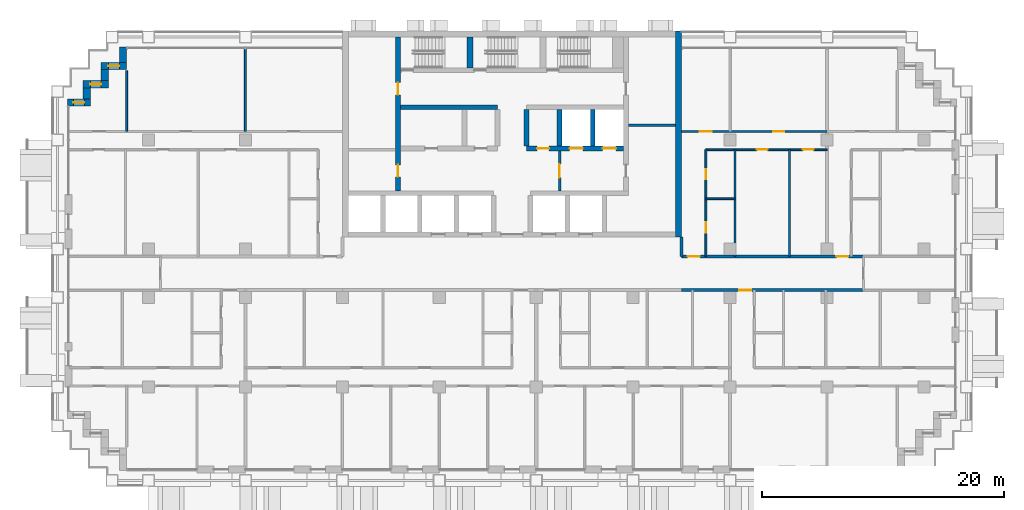
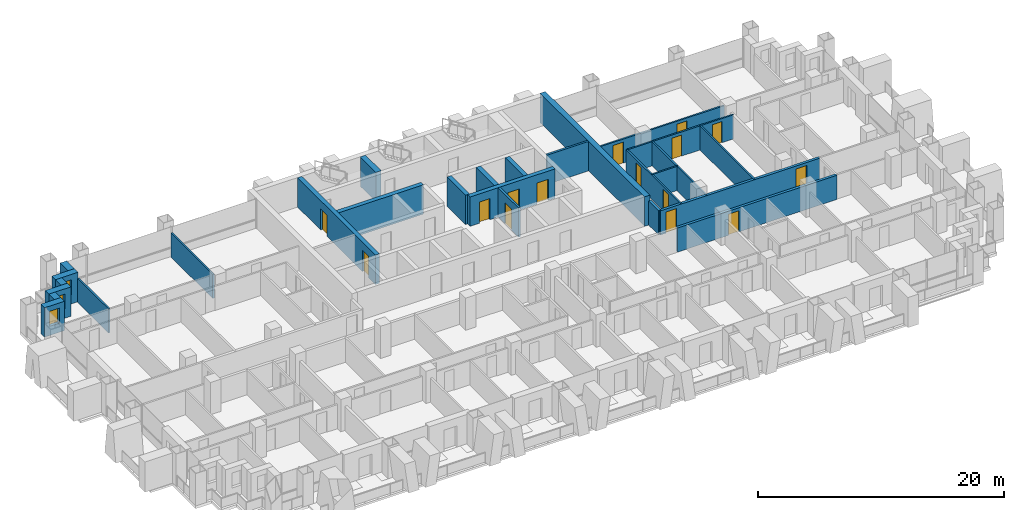
# One storey, part 12 of 18: 27 walls, 15 doors, 3 windows, 18 openings.
"""IFC4 building model written with IfcOpenShell, lengths in metres."""

from ifc_helpers import new_model, si_unit, direction, frame, frame_2d, origin, place, context, subcontext, project, spatial, rectangle, extrude, material, layer, layer_set, type_object, element, fill, save


model = new_model("IFC4")

# Units and contexts
model_context = context("Model", 3, precision=1e-05, world=origin(), true_north=direction((0.0, 1.0)))
body_context = subcontext(model_context, "Body", "Model", "MODEL_VIEW")
ifc_project = project(units=[si_unit("LENGTHUNIT", "METRE"), si_unit("AREAUNIT", "SQUARE_METRE"), si_unit("VOLUMEUNIT", "CUBIC_METRE"), si_unit("PLANEANGLEUNIT", "RADIAN"), si_unit("MASSUNIT", "GRAM", prefix="KILO")], contexts=[model_context])

# Site, building, storey
site_placement = place(None, origin())
site = spatial("IfcSite", under=ifc_project, at=site_placement, CompositionType="ELEMENT")
building_placement = place(site_placement, origin())
building = spatial("IfcBuilding", under=site, at=building_placement, Name="Vidyagriha Tower", CompositionType="ELEMENT")
storey_placement = place(building_placement, frame((0.0, 0.0, 48.0)))
storey = spatial("IfcBuildingStorey", under=building, at=storey_placement, Name="L12", CompositionType="ELEMENT", Elevation=48.0)

# Wall
ifc_material_1 = material(Name="Precast concrete C40/50 with brick facing", Category="concrete")
ifc_layer_1 = layer(ifc_material_1, 0.60009765625)
ifc_layer_set_1 = layer_set([ifc_layer_1], Name="Precast concrete C40/50 with brick facing")
wall_type_1 = type_object("IfcWallType", Name="Brick-faced precast wall 600", PredefinedType="STANDARD", material=ifc_layer_set_1)
wall_1_placement = place(storey_placement, frame((-32.10009765625, 18.679931640625, 0.0), z_axis=(0.0, 0.0, 1.0), x_axis=(0.0, -1.0, 0.0)))
element("IfcWall", 1, at=wall_1_placement, inside=storey, type_object=wall_type_1, Name="Stepped corner wall L12 R10", PredefinedType="STANDARD", context=body_context, shape_type="SweptSolid", body=[
    extrude(rectangle(XDim=1.280029296875, YDim=0.60009765625, at=frame_2d((0.64013671875, 0.0))), origin(), (0.0, 0.0, 1.0), 2.919921875),
])

# Wall, opening, window
wall_2_placement = place(storey_placement, frame((-31.800048828125, 17.10009765625, 0.0), z_axis=(0.0, 0.0, 1.0), x_axis=(-1.0, 0.0, 0.0)))
wall_2 = element("IfcWall", 2, at=wall_2_placement, inside=storey, type_object=wall_type_1, Name="Stepped corner wall L12 R11", PredefinedType="STANDARD", context=body_context, shape_type="SweptSolid", body=[
    extrude(rectangle(XDim=2.099853515625, YDim=0.60009765625, at=frame_2d((1.0498046875, 0.0))), origin(), (0.0, 0.0, 1.0), 2.919921875),
])
opening_1_placement = place(wall_2_placement, frame((0.60009765625, 0.0, 0.89990234375)))
opening_1 = element("IfcOpeningElement", 3, at=opening_1_placement, cuts=wall_2, Name="Opening WN1", PredefinedType="OPENING", context=body_context, shape_type="SweptSolid", body=[
    extrude(rectangle(XDim=0.89990234375, YDim=1.5, at=frame_2d((0.449951171875, 0.75))), frame((0.0, 0.31005859375, 0.0), z_axis=(0.0, -1.0, 0.0), x_axis=(1.0, 0.0, 0.0)), (0.0, 0.0, 1.0), 0.6201171875),
])
ifc_material_2 = material(Name="Aluminium and glass window", Category="aluminium")
window_type = type_object("IfcWindowType", Name="Reveal window 900x1500", PartitioningType="NOTDEFINED", PredefinedType="WINDOW", material=ifc_material_2)
window_1_placement = place(opening_1_placement, origin())
window_1 = element("IfcWindow", 4, at=window_1_placement, inside=storey, type_object=window_type, Name="Reveal window L12 R11", OverallHeight=1.5, OverallWidth=0.89990234375, PartitioningType="SINGLE_PANEL", PredefinedType="WINDOW", context=body_context, shape_type="SweptSolid", body=[
    extrude(rectangle(XDim=0.89990234375, YDim=1.5, at=frame_2d((0.449951171875, 0.75))), frame((0.0, 0.030029296875, 0.0), z_axis=(0.0, -1.0, 0.0), x_axis=(1.0, 0.0, 0.0)), (0.0, 0.0, 1.0), 0.06005859375),
])
fill(opening_1, window_1)

# Wall
wall_3_placement = place(storey_placement, frame((-33.60009765625, 16.800048828125, 0.0), z_axis=(0.0, 0.0, 1.0), x_axis=(0.0, -1.0, 0.0)))
element("IfcWall", 5, at=wall_3_placement, inside=storey, type_object=wall_type_1, Name="Stepped corner wall L12 R12", PredefinedType="STANDARD", context=body_context, shape_type="SweptSolid", body=[
    extrude(rectangle(XDim=0.900146484375, YDim=0.60009765625, at=frame_2d((0.4501953125, 0.0))), origin(), (0.0, 0.0, 1.0), 2.919921875),
])

# Wall, opening, window
wall_4_placement = place(storey_placement, frame((-33.300048828125, 15.60009765625, 0.0), z_axis=(0.0, 0.0, 1.0), x_axis=(-1.0, 0.0, 0.0)))
wall_4 = element("IfcWall", 6, at=wall_4_placement, inside=storey, type_object=wall_type_1, Name="Stepped corner wall L12 R13", PredefinedType="STANDARD", context=body_context, shape_type="SweptSolid", body=[
    extrude(rectangle(XDim=2.099853515625, YDim=0.60009765625, at=frame_2d((1.0498046875, 0.0))), origin(), (0.0, 0.0, 1.0), 2.919921875),
])
opening_2_placement = place(wall_4_placement, frame((0.60009765625, 0.0, 0.89990234375)))
opening_2 = element("IfcOpeningElement", 7, at=opening_2_placement, cuts=wall_4, Name="Opening WN1", PredefinedType="OPENING", context=body_context, shape_type="SweptSolid", body=[
    extrude(rectangle(XDim=0.89990234375, YDim=1.5, at=frame_2d((0.449951171875, 0.75))), frame((0.0, 0.31005859375, 0.0), z_axis=(0.0, -1.0, 0.0), x_axis=(1.0, 0.0, 0.0)), (0.0, 0.0, 1.0), 0.6201171875),
])
window_2_placement = place(opening_2_placement, origin())
window_2 = element("IfcWindow", 8, at=window_2_placement, inside=storey, type_object=window_type, Name="Reveal window L12 R13", OverallHeight=1.5, OverallWidth=0.89990234375, PartitioningType="SINGLE_PANEL", PredefinedType="WINDOW", context=body_context, shape_type="SweptSolid", body=[
    extrude(rectangle(XDim=0.89990234375, YDim=1.5, at=frame_2d((0.449951171875, 0.75))), frame((0.0, 0.030029296875, 0.0), z_axis=(0.0, -1.0, 0.0), x_axis=(1.0, 0.0, 0.0)), (0.0, 0.0, 1.0), 0.06005859375),
])
fill(opening_2, window_2)

# Wall
wall_5_placement = place(storey_placement, frame((-35.10009765625, 15.300048828125, 0.0), z_axis=(0.0, 0.0, 1.0), x_axis=(0.0, -1.0, 0.0)))
element("IfcWall", 9, at=wall_5_placement, inside=storey, type_object=wall_type_1, Name="Stepped corner wall L12 R14", PredefinedType="STANDARD", context=body_context, shape_type="SweptSolid", body=[
    extrude(rectangle(XDim=0.900146484375, YDim=0.60009765625, at=frame_2d((0.4501953125, 0.0))), origin(), (0.0, 0.0, 1.0), 2.919921875),
])

# Wall, opening, window
wall_6_placement = place(storey_placement, frame((-34.800048828125, 14.10009765625, 0.0), z_axis=(0.0, 0.0, 1.0), x_axis=(-1.0, 0.0, 0.0)))
wall_6 = element("IfcWall", 10, at=wall_6_placement, inside=storey, type_object=wall_type_1, Name="Stepped corner wall L12 R15", PredefinedType="STANDARD", context=body_context, shape_type="SweptSolid", body=[
    extrude(rectangle(XDim=1.8798828125, YDim=0.60009765625, at=frame_2d((0.93994140625, 0.0))), origin(), (0.0, 0.0, 1.0), 2.919921875),
])
opening_3_placement = place(wall_6_placement, frame((0.489990234375, 0.0, 0.89990234375)))
opening_3 = element("IfcOpeningElement", 11, at=opening_3_placement, cuts=wall_6, Name="Opening WN1", PredefinedType="OPENING", context=body_context, shape_type="SweptSolid", body=[
    extrude(rectangle(XDim=0.89990234375, YDim=1.5, at=frame_2d((0.449951171875, 0.75))), frame((0.0, 0.31005859375, 0.0), z_axis=(0.0, -1.0, 0.0), x_axis=(1.0, 0.0, 0.0)), (0.0, 0.0, 1.0), 0.6201171875),
])
window_3_placement = place(opening_3_placement, origin())
window_3 = element("IfcWindow", 12, at=window_3_placement, inside=storey, type_object=window_type, Name="Reveal window L12 R15", OverallHeight=1.5, OverallWidth=0.89990234375, PartitioningType="SINGLE_PANEL", PredefinedType="WINDOW", context=body_context, shape_type="SweptSolid", body=[
    extrude(rectangle(XDim=0.89990234375, YDim=1.5, at=frame_2d((0.449951171875, 0.75))), frame((0.0, 0.030029296875, 0.0), z_axis=(0.0, -1.0, 0.0), x_axis=(1.0, 0.0, 0.0)), (0.0, 0.0, 1.0), 0.06005859375),
])
fill(opening_3, window_3)

# Wall, openings, doors
ifc_material_3 = material(Name="Concrete C60/75", Category="concrete")
ifc_layer_2 = layer(ifc_material_3, 0.39990234375)
ifc_layer_set_2 = layer_set([ifc_layer_2], Name="Concrete C60/75")
wall_type_2 = type_object("IfcWallType", Name="Core shear wall 400 mm", PredefinedType="SHEAR", material=ifc_layer_set_2)
wall_7_placement = place(storey_placement, frame((-9.39990234375, 6.800048828125, 0.0), z_axis=(0.0, 0.0, 1.0), x_axis=(0.0, 1.0, 0.0)))
wall_7 = element("IfcWall", 13, at=wall_7_placement, inside=storey, type_object=wall_type_2, Name="Core west spine wall", PredefinedType="SHEAR", context=body_context, shape_type="SweptSolid", body=[
    extrude(rectangle(XDim=12.699951171875, YDim=0.39990234375, at=frame_2d((6.35009765625, 0.0))), origin(), (0.0, 0.0, 1.0), 2.919921875),
])
opening_4_placement = place(wall_7_placement, frame((1.14990234375, 0.0, 0.0)))
opening_4 = element("IfcOpeningElement", 14, at=opening_4_placement, cuts=wall_7, Name="Opening D12-09", PredefinedType="OPENING", context=body_context, shape_type="SweptSolid", body=[
    extrude(rectangle(XDim=1.0, YDim=2.10009765625, at=frame_2d((0.5, 1.050048828125))), frame((0.0, 0.2099609375, 0.0), z_axis=(0.0, -1.0, 0.0), x_axis=(1.0, 0.0, 0.0)), (0.0, 0.0, 1.0), 0.419921875),
])
opening_5_placement = place(wall_7_placement, frame((7.925048828125, 0.0, 0.0)))
opening_5 = element("IfcOpeningElement", 15, at=opening_5_placement, cuts=wall_7, Name="Opening D12-10", PredefinedType="OPENING", context=body_context, shape_type="SweptSolid", body=[
    extrude(rectangle(XDim=1.0, YDim=2.10009765625, at=frame_2d((0.5, 1.050048828125))), frame((0.0, 0.2099609375, 0.0), z_axis=(0.0, -1.0, 0.0), x_axis=(1.0, 0.0, 0.0)), (0.0, 0.0, 1.0), 0.419921875),
])
ifc_material_4 = material(Name="Hollow metal door leaf")
door_type_1 = type_object("IfcDoorType", Name="Core room door 1000 x 2100 mm EI 60", OperationType="NOTDEFINED", PredefinedType="DOOR", material=ifc_material_4)
door_1_placement = place(opening_4_placement, frame((1.0, 0.0, 0.0), z_axis=(0.0, 0.0, 1.0), x_axis=(-1.0, 0.0, 0.0)))
door_1 = element("IfcDoor", 16, at=door_1_placement, inside=storey, type_object=door_type_1, Name="Door Pressurisation Plant Room 12.W1", OperationType="SINGLE_SWING_RIGHT", OverallHeight=2.10009765625, OverallWidth=1.0, PredefinedType="DOOR", context=body_context, shape_type="SweptSolid", body=[
    extrude(rectangle(XDim=1.0, YDim=2.10009765625, at=frame_2d((0.5, 1.050048828125))), frame((0.0, 0.02490234375, 0.0), z_axis=(0.0, -1.0, 0.0), x_axis=(1.0, 0.0, 0.0)), (0.0, 0.0, 1.0), 0.050048828125),
])
fill(opening_4, door_1)
door_2_placement = place(opening_5_placement, frame((1.0, 0.0, 0.0), z_axis=(0.0, 0.0, 1.0), x_axis=(-1.0, 0.0, 0.0)))
door_2 = element("IfcDoor", 17, at=door_2_placement, inside=storey, type_object=door_type_1, Name="Door Storage Room 12.W2", OperationType="SINGLE_SWING_LEFT", OverallHeight=2.10009765625, OverallWidth=1.0, PredefinedType="DOOR", context=body_context, shape_type="SweptSolid", body=[
    extrude(rectangle(XDim=1.0, YDim=2.10009765625, at=frame_2d((0.5, 1.050048828125))), frame((0.0, 0.02490234375, 0.0), z_axis=(0.0, -1.0, 0.0), x_axis=(1.0, 0.0, 0.0)), (0.0, 0.0, 1.0), 0.050048828125),
])
fill(opening_5, door_2)

# Wall
wall_8_placement = place(storey_placement, frame((-9.199951171875, 13.699951171875, 0.0)))
element("IfcWall", 18, at=wall_8_placement, inside=storey, type_object=wall_type_2, Name="Core row N rear wall", PredefinedType="SHEAR", context=body_context, shape_type="SweptSolid", body=[
    extrude(rectangle(XDim=8.0, YDim=0.39990234375, at=frame_2d((4.0, 0.0))), origin(), (0.0, 0.0, 1.0), 2.919921875),
])

# Wall, openings, doors
wall_9_placement = place(storey_placement, frame((1.199951171875, 10.300048828125, 0.0)))
wall_9 = element("IfcWall", 19, at=wall_9_placement, inside=storey, type_object=wall_type_2, Name="Core row N front wall", PredefinedType="SHEAR", context=body_context, shape_type="SweptSolid", body=[
    extrude(rectangle(XDim=8.0, YDim=0.39990234375, at=frame_2d((4.0, 0.0))), origin(), (0.0, 0.0, 1.0), 2.919921875),
])
opening_6_placement = place(wall_9_placement, frame((3.550048828125, 0.0, 0.0)))
opening_6 = element("IfcOpeningElement", 20, at=opening_6_placement, cuts=wall_9, Name="Opening LD12-05", PredefinedType="OPENING", context=body_context, shape_type="SweptSolid", body=[
    extrude(rectangle(XDim=1.10009765625, YDim=2.10009765625, at=frame_2d((0.550048828125, 1.050048828125))), frame((0.0, 0.2099609375, 0.0), z_axis=(0.0, -1.0, 0.0), x_axis=(1.0, 0.0, 0.0)), (0.0, 0.0, 1.0), 0.419921875),
])
opening_7_placement = place(wall_9_placement, frame((6.283203125, 0.0, 0.0)))
opening_7 = element("IfcOpeningElement", 21, at=opening_7_placement, cuts=wall_9, Name="Opening LD12-06", PredefinedType="OPENING", context=body_context, shape_type="SweptSolid", body=[
    extrude(rectangle(XDim=1.10009765625, YDim=2.10009765625, at=frame_2d((0.550048828125, 1.050048828125))), frame((0.0, 0.2099609375, 0.0), z_axis=(0.0, -1.0, 0.0), x_axis=(1.0, 0.0, 0.0)), (0.0, 0.0, 1.0), 0.419921875),
])
opening_8_placement = place(wall_9_placement, frame((0.86669921875, 0.0, 0.0)))
opening_8 = element("IfcOpeningElement", 22, at=opening_8_placement, cuts=wall_9, Name="Opening D12-04", PredefinedType="OPENING", context=body_context, shape_type="SweptSolid", body=[
    extrude(rectangle(XDim=1.0, YDim=2.10009765625, at=frame_2d((0.5, 1.050048828125))), frame((0.0, 0.2099609375, 0.0), z_axis=(0.0, -1.0, 0.0), x_axis=(1.0, 0.0, 0.0)), (0.0, 0.0, 1.0), 0.419921875),
])
door_3_placement = place(opening_8_placement, frame((1.0, 0.0, 0.0), z_axis=(0.0, 0.0, 1.0), x_axis=(-1.0, 0.0, 0.0)))
door_3 = element("IfcDoor", 23, at=door_3_placement, inside=storey, type_object=door_type_1, Name="Door Mechanical Riser Room 12.16", OperationType="SINGLE_SWING_LEFT", OverallHeight=2.10009765625, OverallWidth=1.0, PredefinedType="DOOR", context=body_context, shape_type="SweptSolid", body=[
    extrude(rectangle(XDim=1.0, YDim=2.10009765625, at=frame_2d((0.5, 1.050048828125))), frame((0.0, 0.02490234375, 0.0), z_axis=(0.0, -1.0, 0.0), x_axis=(1.0, 0.0, 0.0)), (0.0, 0.0, 1.0), 0.050048828125),
])
fill(opening_8, door_3)
ifc_material_5 = material(Name="Stainless steel sliding door panel", Category="steel")
door_type_2 = type_object("IfcDoorType", Name="Lift landing door 1100 x 2100 mm EI 90", OperationType="NOTDEFINED", PredefinedType="DOOR", material=ifc_material_5)
door_4_placement = place(opening_6_placement, origin())
door_4 = element("IfcDoor", 24, at=door_4_placement, inside=storey, type_object=door_type_2, Name="Landing door FF1 L12", OperationType="SLIDING_TO_LEFT", OverallHeight=2.10009765625, OverallWidth=1.10009765625, PredefinedType="DOOR", context=body_context, shape_type="SweptSolid", body=[
    extrude(rectangle(XDim=1.10009765625, YDim=2.10009765625, at=frame_2d((0.550048828125, 1.050048828125))), frame((0.0, 0.02490234375, 0.0), z_axis=(0.0, -1.0, 0.0), x_axis=(1.0, 0.0, 0.0)), (0.0, 0.0, 1.0), 0.050048828125),
])
fill(opening_6, door_4)
door_5_placement = place(opening_7_placement, origin())
door_5 = element("IfcDoor", 25, at=door_5_placement, inside=storey, type_object=door_type_2, Name="Landing door FF2 L12", OperationType="SLIDING_TO_LEFT", OverallHeight=2.10009765625, OverallWidth=1.10009765625, PredefinedType="DOOR", context=body_context, shape_type="SweptSolid", body=[
    extrude(rectangle(XDim=1.10009765625, YDim=2.10009765625, at=frame_2d((0.550048828125, 1.050048828125))), frame((0.0, 0.02490234375, 0.0), z_axis=(0.0, -1.0, 0.0), x_axis=(1.0, 0.0, 0.0)), (0.0, 0.0, 1.0), 0.050048828125),
])
fill(opening_7, door_5)

# Walls
for number, where, z_axis, x_axis, name in (
    (26, (1.199951171875, 10.5, 0.0), (0.0, 0.0, 1.0), (0.0, 1.0, 0.0), "Core bay wall N4"),
    (27, (3.933349609375, 10.5, 0.0), (0.0, 0.0, 1.0), (0.0, 1.0, 0.0), "Core bay wall N5"),
    (28, (6.666748046875, 10.5, 0.0), (0.0, 0.0, 1.0), (0.0, 1.0, 0.0), "Core bay wall N6"),
):
    element("IfcWall", number, at=place(storey_placement, frame(where, z_axis=z_axis, x_axis=x_axis)), inside=storey, type_object=wall_type_2, Name=name, PredefinedType="SHEAR", context=body_context, shape_type="SweptSolid", body=[
        extrude(rectangle(XDim=3.0, YDim=0.39990234375, at=frame_2d((1.5, 0.0))), origin(), (0.0, 0.0, 1.0), 2.919921875),
    ])
ifc_material_6 = material(Name="Concrete C60/75", Category="concrete")
ifc_layer_3 = layer(ifc_material_6, 0.5)
ifc_layer_set_3 = layer_set([ifc_layer_3], Name="Concrete C60/75")
wall_type_3 = type_object("IfcWallType", Name="Core shear wall 500 mm", PredefinedType="SHEAR", material=ifc_layer_set_3)
wall_10_placement = place(storey_placement, frame((13.75, 3.0, 0.0), z_axis=(0.0, 0.0, 1.0), x_axis=(0.0, 1.0, 0.0)))
element("IfcWall", 29, at=wall_10_placement, inside=storey, type_object=wall_type_3, Name="Core east wall", PredefinedType="SHEAR", context=body_context, shape_type="SweptSolid", body=[
    extrude(rectangle(XDim=17.0, YDim=0.5, at=frame_2d((8.5, 0.0))), origin(), (0.0, 0.0, 1.0), 2.919921875),
])
wall_11_placement = place(storey_placement, frame((-3.449951171875, 16.949951171875, 0.0), z_axis=(0.0, 0.0, 1.0), x_axis=(0.0, 1.0, 0.0)))
element("IfcWall", 30, at=wall_11_placement, inside=storey, type_object=wall_type_3, Name="Stair partition wall 1", PredefinedType="SHEAR", context=body_context, shape_type="SweptSolid", body=[
    extrude(rectangle(XDim=2.550048828125, YDim=0.5, at=frame_2d((1.27490234375, 0.0))), origin(), (0.0, 0.0, 1.0), 2.919921875),
])

# Wall, opening, door
ifc_material_7 = material(Name="Fired clay brick masonry", Category="masonry")
ifc_layer_4 = layer(ifc_material_7, 0.25)
ifc_layer_set_4 = layer_set([ifc_layer_4], Name="Fired clay brick masonry")
wall_type_4 = type_object("IfcWallType", Name="Fired clay brick corridor wall 250", PredefinedType="PARTITIONING", material=ifc_layer_set_4)
wall_12_placement = place(storey_placement, frame((29.0, -1.39990234375, 0.0), z_axis=(0.0, 0.0, 1.0), x_axis=(-1.0, 0.0, 0.0)))
wall_12 = element("IfcWall", 31, at=wall_12_placement, inside=storey, type_object=wall_type_4, Name="Wall all-L12-w082", PredefinedType="PARTITIONING", context=body_context, shape_type="SweptSolid", body=[
    extrude(rectangle(XDim=15.0, YDim=0.25, at=frame_2d((7.5, 0.0))), origin(), (0.0, 0.0, 1.0), 2.39990234375),
])
opening_9_placement = place(wall_12_placement, frame((9.239990234375, 0.0, 0.0)))
opening_9 = element("IfcOpeningElement", 32, at=opening_9_placement, cuts=wall_12, Name="Opening D12-50", PredefinedType="OPENING", context=body_context, shape_type="SweptSolid", body=[
    extrude(rectangle(XDim=1.0, YDim=2.10009765625, at=frame_2d((0.5, 1.050048828125))), frame((0.0, 0.135009765625, 0.0), z_axis=(0.0, -1.0, 0.0), x_axis=(1.0, 0.0, 0.0)), (0.0, 0.0, 1.0), 0.27001953125),
])
ifc_material_8 = material(Name="Fire-rated timber door leaf EI 60", Category="wood")
door_type_3 = type_object("IfcDoorType", Name="Flat entrance fire door 1000x2100", OperationType="NOTDEFINED", PredefinedType="DOOR", material=ifc_material_8)
door_6_placement = place(opening_9_placement, origin())
door_6 = element("IfcDoor", 33, at=door_6_placement, inside=storey, type_object=door_type_3, Name="Door D12-50", OperationType="SINGLE_SWING_RIGHT", OverallHeight=2.10009765625, OverallWidth=1.0, PredefinedType="DOOR", context=body_context, shape_type="SweptSolid", body=[
    extrude(rectangle(XDim=1.0, YDim=2.10009765625, at=frame_2d((0.5, 1.050048828125))), frame((0.0, 0.02490234375, 0.0), z_axis=(0.0, -1.0, 0.0), x_axis=(1.0, 0.0, 0.0)), (0.0, 0.0, 1.0), 0.050048828125),
])
fill(opening_9, door_6)

# Wall, openings, doors
wall_13_placement = place(storey_placement, frame((14.0, 1.39990234375, 0.0)))
wall_13 = element("IfcWall", 34, at=wall_13_placement, inside=storey, type_object=wall_type_4, Name="Wall all-L12-w131", PredefinedType="PARTITIONING", context=body_context, shape_type="SweptSolid", body=[
    extrude(rectangle(XDim=15.0, YDim=0.25, at=frame_2d((7.5, 0.0))), origin(), (0.0, 0.0, 1.0), 2.39990234375),
])
opening_10_placement = place(wall_13_placement, frame((0.5, 0.0, 0.0)))
opening_10 = element("IfcOpeningElement", 35, at=opening_10_placement, cuts=wall_13, Name="Opening D12-66", PredefinedType="OPENING", context=body_context, shape_type="SweptSolid", body=[
    extrude(rectangle(XDim=1.0, YDim=2.10009765625, at=frame_2d((0.5, 1.050048828125))), frame((0.0, 0.135009765625, 0.0), z_axis=(0.0, -1.0, 0.0), x_axis=(1.0, 0.0, 0.0)), (0.0, 0.0, 1.0), 0.27001953125),
])
opening_11_placement = place(wall_13_placement, frame((12.760009765625, 0.0, 0.0)))
opening_11 = element("IfcOpeningElement", 36, at=opening_11_placement, cuts=wall_13, Name="Opening D12-72", PredefinedType="OPENING", context=body_context, shape_type="SweptSolid", body=[
    extrude(rectangle(XDim=1.0, YDim=2.10009765625, at=frame_2d((0.5, 1.050048828125))), frame((0.0, 0.135009765625, 0.0), z_axis=(0.0, -1.0, 0.0), x_axis=(1.0, 0.0, 0.0)), (0.0, 0.0, 1.0), 0.27001953125),
])
door_7_placement = place(opening_10_placement, origin())
door_7 = element("IfcDoor", 37, at=door_7_placement, inside=storey, type_object=door_type_3, Name="Door D12-66", OperationType="SINGLE_SWING_LEFT", OverallHeight=2.10009765625, OverallWidth=1.0, PredefinedType="DOOR", context=body_context, shape_type="SweptSolid", body=[
    extrude(rectangle(XDim=1.0, YDim=2.10009765625, at=frame_2d((0.5, 1.050048828125))), frame((0.0, 0.02490234375, 0.0), z_axis=(0.0, -1.0, 0.0), x_axis=(1.0, 0.0, 0.0)), (0.0, 0.0, 1.0), 0.050048828125),
])
fill(opening_10, door_7)
door_8_placement = place(opening_11_placement, origin())
door_8 = element("IfcDoor", 38, at=door_8_placement, inside=storey, type_object=door_type_3, Name="Door D12-72", OperationType="SINGLE_SWING_LEFT", OverallHeight=2.10009765625, OverallWidth=1.0, PredefinedType="DOOR", context=body_context, shape_type="SweptSolid", body=[
    extrude(rectangle(XDim=1.0, YDim=2.10009765625, at=frame_2d((0.5, 1.050048828125))), frame((0.0, 0.02490234375, 0.0), z_axis=(0.0, -1.0, 0.0), x_axis=(1.0, 0.0, 0.0)), (0.0, 0.0, 1.0), 0.050048828125),
])
fill(opening_11, door_8)

# Walls
wall_14_placement = place(storey_placement, frame((14.0, 1.39990234375, 0.0), z_axis=(0.0, 0.0, 1.0), x_axis=(0.0, 1.0, 0.0)))
element("IfcWall", 39, at=wall_14_placement, inside=storey, type_object=wall_type_4, Name="Wall all-L12-w139", PredefinedType="PARTITIONING", context=body_context, shape_type="SweptSolid", body=[
    extrude(rectangle(XDim=1.60009765625, YDim=0.25, at=frame_2d((0.800048828125, 0.0))), origin(), (0.0, 0.0, 1.0), 2.39990234375),
])
ifc_material_9 = material(Name="Gypsum board partition")
ifc_layer_5 = layer(ifc_material_9, 0.14990234375)
ifc_layer_set_5 = layer_set([ifc_layer_5], Name="Gypsum board partition")
wall_type_5 = type_object("IfcWallType", Name="Gypsum board partition 150", PredefinedType="PARTITIONING", material=ifc_layer_set_5)
wall_15_placement = place(storey_placement, frame((-31.800048828125, 16.719970703125, 0.0), z_axis=(0.0, 0.0, 1.0), x_axis=(0.0, -1.0, 0.0)))
element("IfcWall", 40, at=wall_15_placement, inside=storey, type_object=wall_type_5, Name="Wall all-L12-w099", PredefinedType="PARTITIONING", context=body_context, shape_type="SweptSolid", body=[
    extrude(rectangle(XDim=5.02001953125, YDim=0.14990234375, at=frame_2d((2.510009765625, 0.0))), origin(), (0.0, 0.0, 1.0), 2.39990234375),
])
wall_16_placement = place(storey_placement, frame((-22.0, 18.52099609375, 0.0), z_axis=(0.0, 0.0, 1.0), x_axis=(0.0, -1.0, 0.0)))
element("IfcWall", 41, at=wall_16_placement, inside=storey, type_object=wall_type_5, Name="Wall all-L12-w100", PredefinedType="PARTITIONING", context=body_context, shape_type="SweptSolid", body=[
    extrude(rectangle(XDim=6.821044921875, YDim=0.14990234375, at=frame_2d((3.41064453125, 0.0))), origin(), (0.0, 0.0, 1.0), 2.39990234375),
])
wall_17_placement = place(storey_placement, frame((16.0, 6.14990234375, 0.0)))
element("IfcWall", 42, at=wall_17_placement, inside=storey, type_object=wall_type_5, Name="Wall all-L12-w107", PredefinedType="PARTITIONING", context=body_context, shape_type="SweptSolid", body=[
    extrude(rectangle(XDim=2.39990234375, YDim=0.14990234375, at=frame_2d((1.199951171875, 0.0))), origin(), (0.0, 0.0, 1.0), 2.39990234375),
])
for number, where, z_axis, x_axis, name in (
    (43, (18.39990234375, 10.199951171875, 0.0), (0.0, 0.0, 1.0), (0.0, -1.0, 0.0), "Wall all-L12-w108"),
    (44, (22.89990234375, 10.199951171875, 0.0), (0.0, 0.0, 1.0), (0.0, -1.0, 0.0), "Wall all-L12-w109"),
):
    element("IfcWall", number, at=place(storey_placement, frame(where, z_axis=z_axis, x_axis=x_axis)), inside=storey, type_object=wall_type_5, Name=name, PredefinedType="PARTITIONING", context=body_context, shape_type="SweptSolid", body=[
        extrude(rectangle(XDim=8.800048828125, YDim=0.14990234375, at=frame_2d((4.39990234375, 0.0))), origin(), (0.0, 0.0, 1.0), 2.39990234375),
    ])

# Wall, openings, doors
wall_18_placement = place(storey_placement, frame((26.0, 10.199951171875, 0.0), z_axis=(0.0, 0.0, 1.0), x_axis=(-1.0, 0.0, 0.0)))
wall_18 = element("IfcWall", 45, at=wall_18_placement, inside=storey, type_object=wall_type_5, Name="Wall all-L12-w110", PredefinedType="PARTITIONING", context=body_context, shape_type="SweptSolid", body=[
    extrude(rectangle(XDim=10.0, YDim=0.14990234375, at=frame_2d((5.0, 0.0))), origin(), (0.0, 0.0, 1.0), 2.39990234375),
])
opening_12_placement = place(wall_18_placement, frame((4.89990234375, 0.0, 0.0)))
opening_12 = element("IfcOpeningElement", 46, at=opening_12_placement, cuts=wall_18, Name="Opening D12-62", PredefinedType="OPENING", context=body_context, shape_type="SweptSolid", body=[
    extrude(rectangle(XDim=0.89990234375, YDim=2.10009765625, at=frame_2d((0.449951171875, 1.050048828125))), frame((0.0, 0.0849609375, 0.0), z_axis=(0.0, -1.0, 0.0), x_axis=(1.0, 0.0, 0.0)), (0.0, 0.0, 1.0), 0.169921875),
])
opening_13_placement = place(wall_18_placement, frame((1.10009765625, 0.0, 0.0)))
opening_13 = element("IfcOpeningElement", 47, at=opening_13_placement, cuts=wall_18, Name="Opening D12-63", PredefinedType="OPENING", context=body_context, shape_type="SweptSolid", body=[
    extrude(rectangle(XDim=0.89990234375, YDim=2.10009765625, at=frame_2d((0.449951171875, 1.050048828125))), frame((0.0, 0.0849609375, 0.0), z_axis=(0.0, -1.0, 0.0), x_axis=(1.0, 0.0, 0.0)), (0.0, 0.0, 1.0), 0.169921875),
])
ifc_material_10 = material(Name="Timber door leaf", Category="wood")
door_type_4 = type_object("IfcDoorType", Name="Room door 900x2100", OperationType="NOTDEFINED", PredefinedType="DOOR", material=ifc_material_10)
door_9_placement = place(opening_12_placement, origin())
door_9 = element("IfcDoor", 48, at=door_9_placement, inside=storey, type_object=door_type_4, Name="Door D12-62", OperationType="SINGLE_SWING_RIGHT", OverallHeight=2.10009765625, OverallWidth=0.89990234375, PredefinedType="DOOR", context=body_context, shape_type="SweptSolid", body=[
    extrude(rectangle(XDim=0.89990234375, YDim=2.10009765625, at=frame_2d((0.449951171875, 1.050048828125))), frame((0.0, 0.02490234375, 0.0), z_axis=(0.0, -1.0, 0.0), x_axis=(1.0, 0.0, 0.0)), (0.0, 0.0, 1.0), 0.050048828125),
])
fill(opening_12, door_9)
door_10_placement = place(opening_13_placement, origin())
door_10 = element("IfcDoor", 49, at=door_10_placement, inside=storey, type_object=door_type_4, Name="Door D12-63", OperationType="SINGLE_SWING_RIGHT", OverallHeight=2.10009765625, OverallWidth=0.89990234375, PredefinedType="DOOR", context=body_context, shape_type="SweptSolid", body=[
    extrude(rectangle(XDim=0.89990234375, YDim=2.10009765625, at=frame_2d((0.449951171875, 1.050048828125))), frame((0.0, 0.02490234375, 0.0), z_axis=(0.0, -1.0, 0.0), x_axis=(1.0, 0.0, 0.0)), (0.0, 0.0, 1.0), 0.050048828125),
])
fill(opening_13, door_10)

wall_19_placement = place(storey_placement, frame((14.0, 11.699951171875, 0.0)))
wall_19 = element("IfcWall", 50, at=wall_19_placement, inside=storey, type_object=wall_type_5, Name="Wall all-L12-w113", PredefinedType="PARTITIONING", context=body_context, shape_type="SweptSolid", body=[
    extrude(rectangle(XDim=12.0, YDim=0.14990234375, at=frame_2d((6.0, 0.0))), origin(), (0.0, 0.0, 1.0), 2.39990234375),
])
opening_14_placement = place(wall_19_placement, frame((1.5, 0.0, 0.0)))
opening_14 = element("IfcOpeningElement", 51, at=opening_14_placement, cuts=wall_19, Name="Opening D12-64", PredefinedType="OPENING", context=body_context, shape_type="SweptSolid", body=[
    extrude(rectangle(XDim=1.0, YDim=2.10009765625, at=frame_2d((0.5, 1.050048828125))), frame((0.0, 0.0849609375, 0.0), z_axis=(0.0, -1.0, 0.0), x_axis=(1.0, 0.0, 0.0)), (0.0, 0.0, 1.0), 0.169921875),
])
opening_15_placement = place(wall_19_placement, frame((7.550048828125, 0.0, 0.0)))
opening_15 = element("IfcOpeningElement", 52, at=opening_15_placement, cuts=wall_19, Name="Opening D12-65", PredefinedType="OPENING", context=body_context, shape_type="SweptSolid", body=[
    extrude(rectangle(XDim=0.89990234375, YDim=2.10009765625, at=frame_2d((0.449951171875, 1.050048828125))), frame((0.0, 0.0849609375, 0.0), z_axis=(0.0, -1.0, 0.0), x_axis=(1.0, 0.0, 0.0)), (0.0, 0.0, 1.0), 0.169921875),
])
ifc_material_11 = material(Name="Timber door leaf", Category="wood")
door_type_5 = type_object("IfcDoorType", Name="Room door 1000x2100", OperationType="NOTDEFINED", PredefinedType="DOOR", material=ifc_material_11)
door_11_placement = place(opening_14_placement, origin())
door_11 = element("IfcDoor", 53, at=door_11_placement, inside=storey, type_object=door_type_5, Name="Door D12-64", OperationType="SINGLE_SWING_RIGHT", OverallHeight=2.10009765625, OverallWidth=1.0, PredefinedType="DOOR", context=body_context, shape_type="SweptSolid", body=[
    extrude(rectangle(XDim=1.0, YDim=2.10009765625, at=frame_2d((0.5, 1.050048828125))), frame((0.0, 0.02490234375, 0.0), z_axis=(0.0, -1.0, 0.0), x_axis=(1.0, 0.0, 0.0)), (0.0, 0.0, 1.0), 0.050048828125),
])
fill(opening_14, door_11)
door_12_placement = place(opening_15_placement, origin())
door_12 = element("IfcDoor", 54, at=door_12_placement, inside=storey, type_object=door_type_4, Name="Door D12-65", OperationType="SINGLE_SWING_RIGHT", OverallHeight=2.10009765625, OverallWidth=0.89990234375, PredefinedType="DOOR", context=body_context, shape_type="SweptSolid", body=[
    extrude(rectangle(XDim=0.89990234375, YDim=2.10009765625, at=frame_2d((0.449951171875, 1.050048828125))), frame((0.0, 0.02490234375, 0.0), z_axis=(0.0, -1.0, 0.0), x_axis=(1.0, 0.0, 0.0)), (0.0, 0.0, 1.0), 0.050048828125),
])
fill(opening_15, door_12)

ifc_material_12 = material(Name="Moisture resistant gypsum board partition")
ifc_layer_6 = layer(ifc_material_12, 0.14990234375)
ifc_layer_set_6 = layer_set([ifc_layer_6], Name="Moisture resistant gypsum board partition")
wall_type_6 = type_object("IfcWallType", Name="Gypsum board wet-area partition 150", PredefinedType="PARTITIONING", material=ifc_layer_set_6)
wall_20_placement = place(storey_placement, frame((16.0, 10.199951171875, 0.0), z_axis=(0.0, 0.0, 1.0), x_axis=(0.0, -1.0, 0.0)))
wall_20 = element("IfcWall", 55, at=wall_20_placement, inside=storey, type_object=wall_type_6, Name="Wall all-L12-w104", PredefinedType="PARTITIONING", context=body_context, shape_type="SweptSolid", body=[
    extrude(rectangle(XDim=8.800048828125, YDim=0.14990234375, at=frame_2d((4.39990234375, 0.0))), origin(), (0.0, 0.0, 1.0), 2.39990234375),
])
opening_16_placement = place(wall_20_placement, frame((5.97509765625, 0.0, 0.0)))
opening_16 = element("IfcOpeningElement", 56, at=opening_16_placement, cuts=wall_20, Name="Opening D12-60", PredefinedType="OPENING", context=body_context, shape_type="SweptSolid", body=[
    extrude(rectangle(XDim=0.89990234375, YDim=2.10009765625, at=frame_2d((0.449951171875, 1.050048828125))), frame((0.0, 0.0849609375, 0.0), z_axis=(0.0, -1.0, 0.0), x_axis=(1.0, 0.0, 0.0)), (0.0, 0.0, 1.0), 0.169921875),
])
opening_17_placement = place(wall_20_placement, frame((1.625, 0.0, 0.0)))
opening_17 = element("IfcOpeningElement", 57, at=opening_17_placement, cuts=wall_20, Name="Opening D12-61", PredefinedType="OPENING", context=body_context, shape_type="SweptSolid", body=[
    extrude(rectangle(XDim=0.800048828125, YDim=2.10009765625, at=frame_2d((0.39990234375, 1.050048828125))), frame((0.0, 0.0849609375, 0.0), z_axis=(0.0, -1.0, 0.0), x_axis=(1.0, 0.0, 0.0)), (0.0, 0.0, 1.0), 0.169921875),
])
ifc_material_13 = material(Name="Timber door leaf", Category="wood")
door_type_6 = type_object("IfcDoorType", Name="Bathroom door 800x2100", OperationType="NOTDEFINED", PredefinedType="DOOR", material=ifc_material_13)
door_13_placement = place(opening_17_placement, origin())
door_13 = element("IfcDoor", 58, at=door_13_placement, inside=storey, type_object=door_type_6, Name="Door D12-61", OperationType="SINGLE_SWING_LEFT", OverallHeight=2.10009765625, OverallWidth=0.800048828125, PredefinedType="DOOR", context=body_context, shape_type="SweptSolid", body=[
    extrude(rectangle(XDim=0.800048828125, YDim=2.10009765625, at=frame_2d((0.39990234375, 1.050048828125))), frame((0.0, 0.02490234375, 0.0), z_axis=(0.0, -1.0, 0.0), x_axis=(1.0, 0.0, 0.0)), (0.0, 0.0, 1.0), 0.050048828125),
])
fill(opening_17, door_13)
ifc_material_14 = material(Name="Timber door leaf", Category="wood")
door_type_7 = type_object("IfcDoorType", Name="Kitchen door 900x2100", OperationType="NOTDEFINED", PredefinedType="DOOR", material=ifc_material_14)
door_14_placement = place(opening_16_placement, origin())
door_14 = element("IfcDoor", 59, at=door_14_placement, inside=storey, type_object=door_type_7, Name="Door D12-60", OperationType="SINGLE_SWING_LEFT", OverallHeight=2.10009765625, OverallWidth=0.89990234375, PredefinedType="DOOR", context=body_context, shape_type="SweptSolid", body=[
    extrude(rectangle(XDim=0.89990234375, YDim=2.10009765625, at=frame_2d((0.449951171875, 1.050048828125))), frame((0.0, 0.02490234375, 0.0), z_axis=(0.0, -1.0, 0.0), x_axis=(1.0, 0.0, 0.0)), (0.0, 0.0, 1.0), 0.050048828125),
])
fill(opening_16, door_14)

# Wall, opening, door
ifc_material_15 = material(Name="Blockwork 15 MPa", Category="masonry")
ifc_layer_7 = layer(ifc_material_15, 0.199951171875)
ifc_layer_set_7 = layer_set([ifc_layer_7], Name="Blockwork 15 MPa")
wall_type_7 = type_object("IfcWallType", Name="Service room partition 200 mm", PredefinedType="PARTITIONING", material=ifc_layer_set_7)
wall_21_placement = place(storey_placement, frame((3.933349609375, 6.800048828125, 0.0), z_axis=(0.0, 0.0, 1.0), x_axis=(0.0, 1.0, 0.0)))
wall_21 = element("IfcWall", 60, at=wall_21_placement, inside=storey, type_object=wall_type_7, Name="Fire-fighting lobby west wall", PredefinedType="PARTITIONING", context=body_context, shape_type="SweptSolid", body=[
    extrude(rectangle(XDim=3.300048828125, YDim=0.199951171875, at=frame_2d((1.64990234375, 0.0))), origin(), (0.0, 0.0, 1.0), 2.919921875),
])
opening_18_placement = place(wall_21_placement, frame((1.10009765625, 0.0, 0.0)))
opening_18 = element("IfcOpeningElement", 61, at=opening_18_placement, cuts=wall_21, Name="Opening D12-05", PredefinedType="OPENING", context=body_context, shape_type="SweptSolid", body=[
    extrude(rectangle(XDim=1.10009765625, YDim=2.10009765625, at=frame_2d((0.550048828125, 1.050048828125))), frame((0.0, 0.10986328125, 0.0), z_axis=(0.0, -1.0, 0.0), x_axis=(1.0, 0.0, 0.0)), (0.0, 0.0, 1.0), 0.219970703125),
])
ifc_material_16 = material(Name="Hollow metal door leaf")
door_type_8 = type_object("IfcDoorType", Name="Fire-fighting lobby door 1100 x 2100 mm EI 90", OperationType="NOTDEFINED", PredefinedType="DOOR", material=ifc_material_16)
door_15_placement = place(opening_18_placement, origin())
door_15 = element("IfcDoor", 62, at=door_15_placement, inside=storey, type_object=door_type_8, Name="Fire-fighting lobby door L12", OperationType="SINGLE_SWING_RIGHT", OverallHeight=2.10009765625, OverallWidth=1.10009765625, PredefinedType="DOOR", context=body_context, shape_type="SweptSolid", body=[
    extrude(rectangle(XDim=1.10009765625, YDim=2.10009765625, at=frame_2d((0.550048828125, 1.050048828125))), frame((0.0, 0.02490234375, 0.0), z_axis=(0.0, -1.0, 0.0), x_axis=(1.0, 0.0, 0.0)), (0.0, 0.0, 1.0), 0.050048828125),
])
fill(opening_18, door_15)

# Wall
wall_22_placement = place(storey_placement, frame((9.60009765625, 12.199951171875, 0.0)))
element("IfcWall", 63, at=wall_22_placement, inside=storey, type_object=wall_type_7, Name="Core room partition E1", PredefinedType="PARTITIONING", context=body_context, shape_type="SweptSolid", body=[
    extrude(rectangle(XDim=3.89990234375, YDim=0.199951171875, at=frame_2d((1.949951171875, 0.0))), origin(), (0.0, 0.0, 1.0), 2.919921875),
])

save(model, "model.ifc")
